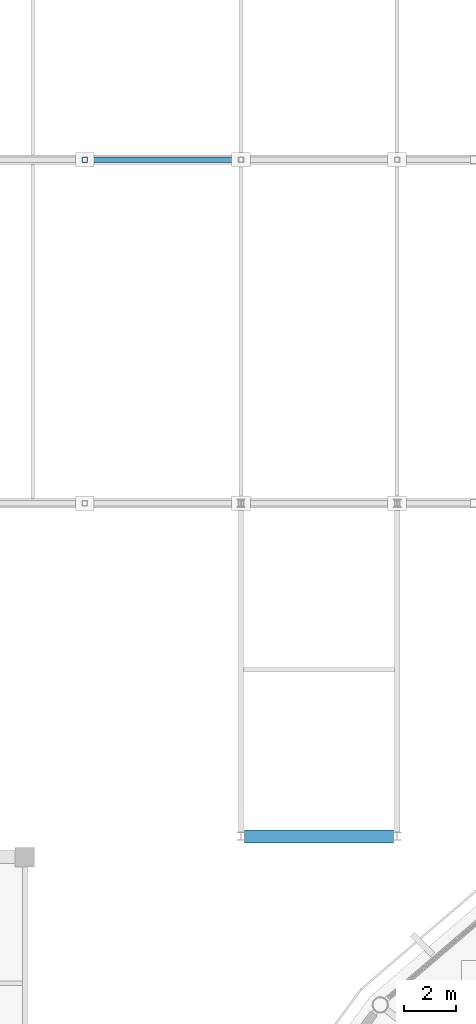
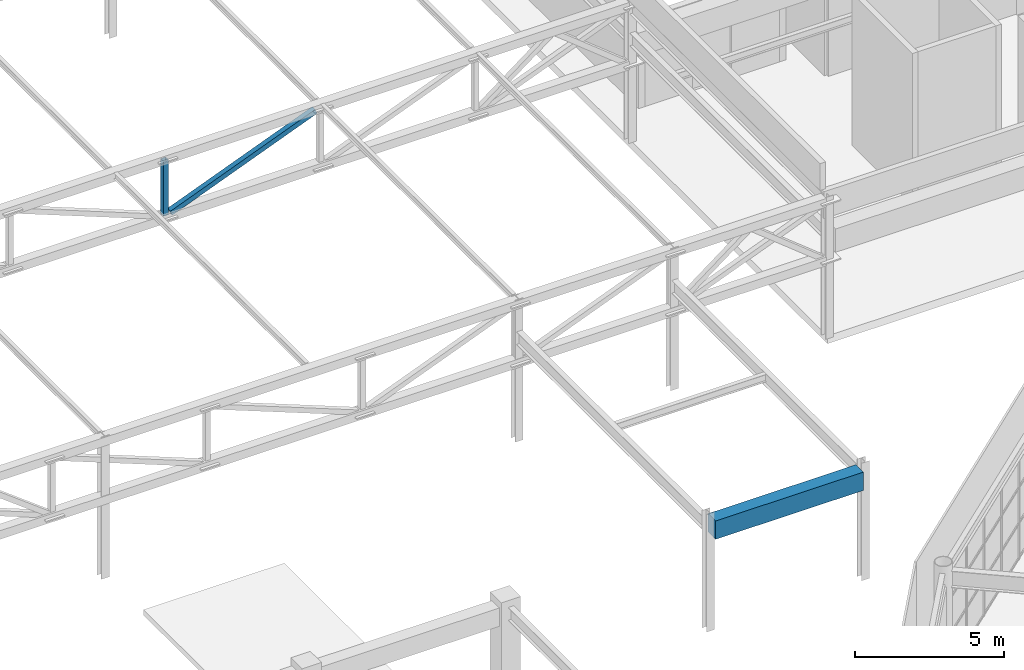
# One storey, part 51 of 122: 2 members, 1 beam.
"""IFC4 building model written with IfcOpenShell, lengths in metres."""

from ifc_helpers import new_model, si_unit, direction, frame, origin, origin_2d, place, context, subcontext, project, spatial, rectangle, hollow_rectangle, extrude, material, material_profile, profile_set, type_object, element, save


model = new_model("IFC4")

# Units and contexts
model_context = context("Model", 3, precision=1e-05, world=origin(), true_north=direction((0.0, 1.0)))
body_context = subcontext(model_context, "Body", "Model", "MODEL_VIEW")
ifc_project = project(units=[si_unit("LENGTHUNIT", "METRE"), si_unit("AREAUNIT", "SQUARE_METRE"), si_unit("VOLUMEUNIT", "CUBIC_METRE"), si_unit("PLANEANGLEUNIT", "RADIAN"), si_unit("MASSUNIT", "GRAM", prefix="KILO")], contexts=[model_context])

# Site, building, storey
site_placement = place(None, origin())
site = spatial("IfcSite", under=ifc_project, at=site_placement, CompositionType="ELEMENT")
building_placement = place(site_placement, origin())
building = spatial("IfcBuilding", under=site, at=building_placement, Name="Cuetzalor Civic Arena", CompositionType="ELEMENT")
storey_placement = place(building_placement, frame((0.0, 0.0, 16.199951171875)))
storey = spatial("IfcBuildingStorey", under=building, at=storey_placement, Name="L03", CompositionType="ELEMENT", Elevation=16.199951171875)

# Beam
ifc_material_1 = material(Name="Concrete C40/50", Category="concrete")
ifc_material_profile_1 = material_profile(ifc_material_1, rectangle(XDim=0.5, YDim=0.75, at=origin_2d()), Name="RC 500x750")
ifc_profile_set_1 = profile_set([ifc_material_profile_1], Name="Concrete C40/50")
beam_type = type_object("IfcBeamType", Name="ConcreteFrameBeam_500x750", PredefinedType="BEAM", material=ifc_profile_set_1)
beam_placement = place(storey_placement, frame((-47.857421875, 35.5, 4.125), z_axis=(1.0, 0.0, 0.0), x_axis=(0.0, 1.0, 0.0)))
element("IfcBeam", 1, at=beam_placement, inside=storey, type_object=beam_type, Name="Frame Girder V5-L03-X1029", PredefinedType="BEAM", context=body_context, shape_type="SweptSolid", body=[
    extrude(rectangle(XDim=0.5, YDim=0.75, at=origin_2d()), origin(), (0.0, 0.0, 1.0), 5.71484375),
])

# Members
ifc_material_2 = material(Name="Steel S355", Category="steel")
ifc_material_profile_2 = material_profile(ifc_material_2, hollow_rectangle(XDim=0.199951171875, YDim=0.199951171875, WallThickness=0.010009765625, at=origin_2d()), Name="RHS 200x200x10")
ifc_profile_set_2 = profile_set([ifc_material_profile_2], Name="Steel S355")
member_type = type_object("IfcMemberType", Name="PrattTrussWeb_RHS200", PredefinedType="STRUT", material=ifc_profile_set_2)
member_1_placement = place(storey_placement, frame((-53.800048828125, 61.5, 3.300048828125), z_axis=(0.930756425373, 0.0, 0.365639818164), x_axis=(0.0, 1.0, 0.0)))
element("IfcMember", 2, at=member_1_placement, inside=storey, type_object=member_type, Name="Practice Court Pratt Diagonal T2-4", PredefinedType="STRUT", context=body_context, shape_type="SweptSolid", body=[
    extrude(hollow_rectangle(XDim=0.199951171875, YDim=0.199951171875, WallThickness=0.010009765625, at=origin_2d()), origin(), (0.0, 0.0, 1.0), 6.0166015625),
])
member_2_placement = place(storey_placement, frame((-54.0, 61.5, 3.280029296875), z_axis=(0.0, 0.0, 1.0), x_axis=(1.0, 0.0, 0.0)))
element("IfcMember", 3, at=member_2_placement, inside=storey, type_object=member_type, Name="Practice Court Pratt Vertical T2-3", PredefinedType="STRUT", context=body_context, shape_type="SweptSolid", body=[
    extrude(hollow_rectangle(XDim=0.199951171875, YDim=0.199951171875, WallThickness=0.010009765625, at=origin_2d()), origin(), (0.0, 0.0, 1.0), 2.239990234375),
])

save(model, "model.ifc")
